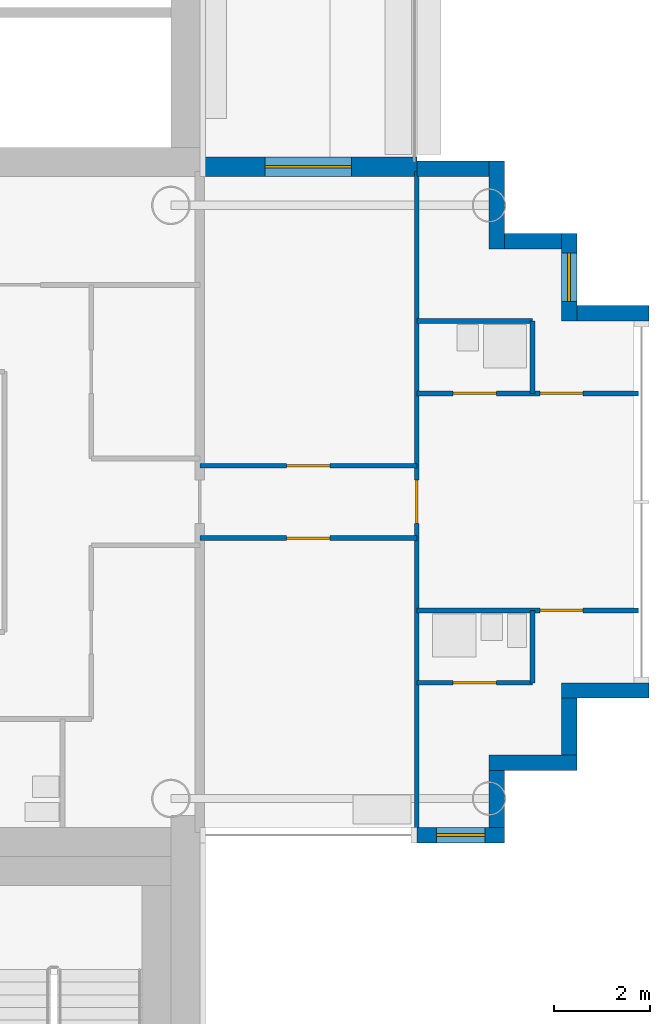
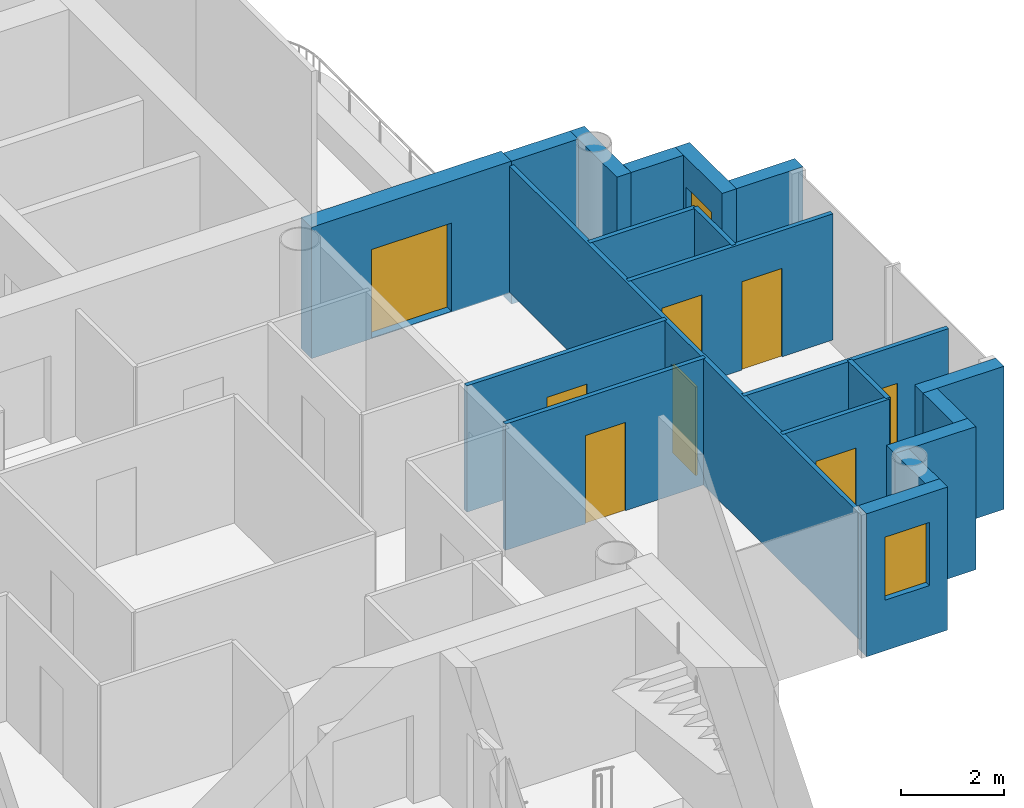
# One storey, part 11 of 18: 20 walls, 8 doors, 2 windows, 10 openings.
"""IFC4 building model written with IfcOpenShell, lengths in metres."""

from ifc_helpers import new_model, si_unit, direction, frame, frame_2d, origin, place, context, subcontext, project, spatial, rectangle, extrude, material, layer, layer_set, type_object, element, fill, save


model = new_model("IFC4")

# Units and contexts
model_context = context("Model", 3, precision=1e-05, world=origin(), true_north=direction((0.0, 1.0)))
body_context = subcontext(model_context, "Body", "Model", "MODEL_VIEW")
ifc_project = project(units=[si_unit("LENGTHUNIT", "METRE"), si_unit("AREAUNIT", "SQUARE_METRE"), si_unit("VOLUMEUNIT", "CUBIC_METRE"), si_unit("PLANEANGLEUNIT", "RADIAN"), si_unit("MASSUNIT", "GRAM", prefix="KILO")], contexts=[model_context])

# Site, building, storey
site_placement = place(None, origin())
site = spatial("IfcSite", under=ifc_project, at=site_placement, CompositionType="ELEMENT")
building_placement = place(site_placement, origin())
building = spatial("IfcBuilding", under=site, at=building_placement, Name="Ipe Terrace Towers", CompositionType="ELEMENT")
storey_placement = place(building_placement, frame((0.0, 0.0, 192.60009765625)))
storey = spatial("IfcBuildingStorey", under=building, at=storey_placement, Name="L53", CompositionType="ELEMENT", Elevation=192.60009765625)

# Wall, opening, door
ifc_material_1 = material(Name="Concrete C40/50 with buff precast cladding", Category="concrete")
ifc_layer_1 = layer(ifc_material_1, 0.39990234375)
ifc_layer_set_1 = layer_set([ifc_layer_1], Name="BALCONY BAY WALL 400")
wall_type_1 = type_object("IfcWallType", Name="BALCONY BAY WALL 400", PredefinedType="STANDARD", material=ifc_layer_set_1)
wall_1_placement = place(storey_placement, frame((47.25, 6.949951171875, -0.02001953125), z_axis=(0.0, 0.0, 1.0), x_axis=(-1.0, 0.0, 0.0)))
wall_1 = element("IfcWall", 1, at=wall_1_placement, inside=storey, type_object=wall_type_1, Name="T2-W-L53-14a wall", PredefinedType="STANDARD", context=body_context, shape_type="SweptSolid", body=[
    extrude(rectangle(XDim=4.5, YDim=0.39990234375, at=frame_2d((2.25, 0.0))), origin(), (0.0, 0.0, 1.0), 3.119873046875),
])
opening_1_placement = place(wall_1_placement, frame((1.35009765625, 0.0, 0.02001953125)))
opening_1 = element("IfcOpeningElement", 2, at=opening_1_placement, cuts=wall_1, Name="Opening T2-D-L53-14", PredefinedType="OPENING", context=body_context, shape_type="SweptSolid", body=[
    extrude(rectangle(XDim=1.800048828125, YDim=2.10009765625, at=frame_2d((0.89990234375, 1.050048828125))), frame((0.0, 0.2099609375, 0.0), z_axis=(0.0, -1.0, 0.0), x_axis=(1.0, 0.0, 0.0)), (0.0, 0.0, 1.0), 0.419921875),
])
ifc_material_2 = material(Name="Aluminium alloy 6063-T6 framed glazed door", Category="aluminium")
door_type_1 = type_object("IfcDoorType", Name="BALCONY DOOR 1800 x 2100 RIGHT", OperationType="SINGLE_SWING_RIGHT", PredefinedType="DOOR", material=ifc_material_2)
door_1_placement = place(opening_1_placement, origin())
door_1 = element("IfcDoor", 3, at=door_1_placement, inside=storey, type_object=door_type_1, Name="DB2 door", OperationType="SINGLE_SWING_RIGHT", OverallHeight=2.10009765625, OverallWidth=1.800048828125, PredefinedType="DOOR", context=body_context, shape_type="SweptSolid", body=[
    extrude(rectangle(XDim=1.800048828125, YDim=2.10009765625, at=frame_2d((0.89990234375, 1.050048828125))), frame((0.0, 0.02490234375, 0.0), z_axis=(0.0, -1.0, 0.0), x_axis=(1.0, 0.0, 0.0)), (0.0, 0.0, 1.0), 0.050048828125),
])
fill(opening_1, door_1)

# Wall, opening, window
ifc_material_3 = material(Name="Concrete C40/50 with buff precast cladding", Category="concrete")
ifc_layer_2 = layer(ifc_material_3, 0.320068359375)
ifc_layer_set_2 = layer_set([ifc_layer_2], Name="BUFF CLADDING WALL 320")
wall_type_2 = type_object("IfcWallType", Name="BUFF CLADDING WALL 320", PredefinedType="STANDARD", material=ifc_layer_set_2)
wall_2_placement = place(storey_placement, frame((47.25, -6.909912109375, -0.300048828125), z_axis=(0.0, 0.0, 1.0), x_axis=(1.0, 0.0, 0.0)))
wall_2 = element("IfcWall", 4, at=wall_2_placement, inside=storey, type_object=wall_type_2, Name="T2-W-L53-03a wall", PredefinedType="STANDARD", context=body_context, shape_type="SweptSolid", body=[
    extrude(rectangle(XDim=1.820068359375, YDim=0.320068359375, at=frame_2d((0.91015625, 0.0))), origin(), (0.0, 0.0, 1.0), 3.39990234375),
])
opening_2_placement = place(wall_2_placement, frame((0.409912109375, 0.0, 1.199951171875)))
opening_2 = element("IfcOpeningElement", 5, at=opening_2_placement, cuts=wall_2, Name="Opening T2-W-05-L53-02", PredefinedType="OPENING", context=body_context, shape_type="SweptSolid", body=[
    extrude(rectangle(XDim=1.0, YDim=1.5, at=frame_2d((0.5, 0.75))), frame((0.0, 0.169921875, 0.0), z_axis=(0.0, -1.0, 0.0), x_axis=(1.0, 0.0, 0.0)), (0.0, 0.0, 1.0), 0.340087890625),
])
ifc_material_4 = material(Name="Glass, clear laminated", Category="glass")
window_type = type_object("IfcWindowType", Name="DWELLING WINDOW 1000 x 1500", PartitioningType="SINGLE_PANEL", PredefinedType="WINDOW", material=ifc_material_4)
window_1_placement = place(opening_2_placement, origin())
window_1 = element("IfcWindow", 6, at=window_1_placement, inside=storey, type_object=window_type, Name="W-05 window", OverallHeight=1.5, OverallWidth=1.0, PartitioningType="SINGLE_PANEL", PredefinedType="WINDOW", context=body_context, shape_type="SweptSolid", body=[
    extrude(rectangle(XDim=1.0, YDim=1.5, at=frame_2d((0.5, 0.75))), frame((0.0, 0.030029296875, 0.0), z_axis=(0.0, -1.0, 0.0), x_axis=(1.0, 0.0, 0.0)), (0.0, 0.0, 1.0), 0.06005859375),
])
fill(opening_2, window_1)

# Walls
wall_3_placement = place(storey_placement, frame((48.909912109375, -6.75, -0.300048828125), z_axis=(0.0, 0.0, 1.0), x_axis=(0.0, 1.0, 0.0)))
element("IfcWall", 7, at=wall_3_placement, inside=storey, type_object=wall_type_2, Name="T2-W-L53-04a wall", PredefinedType="STANDARD", context=body_context, shape_type="SweptSolid", body=[
    extrude(rectangle(XDim=1.179931640625, YDim=0.320068359375, at=frame_2d((0.58984375, 0.0))), origin(), (0.0, 0.0, 1.0), 3.39990234375),
])
wall_4_placement = place(storey_placement, frame((48.75, -5.409912109375, -0.300048828125), z_axis=(0.0, 0.0, 1.0), x_axis=(1.0, 0.0, 0.0)))
element("IfcWall", 8, at=wall_4_placement, inside=storey, type_object=wall_type_2, Name="T2-W-L53-05a wall", PredefinedType="STANDARD", context=body_context, shape_type="SweptSolid", body=[
    extrude(rectangle(XDim=1.820068359375, YDim=0.320068359375, at=frame_2d((0.91015625, 0.0))), origin(), (0.0, 0.0, 1.0), 3.39990234375),
])
wall_5_placement = place(storey_placement, frame((50.409912109375, -5.25, -0.300048828125), z_axis=(0.0, 0.0, 1.0), x_axis=(0.0, 1.0, 0.0)))
element("IfcWall", 9, at=wall_5_placement, inside=storey, type_object=wall_type_2, Name="T2-W-L53-06a wall", PredefinedType="STANDARD", context=body_context, shape_type="SweptSolid", body=[
    extrude(rectangle(XDim=1.179931640625, YDim=0.320068359375, at=frame_2d((0.58984375, 0.0))), origin(), (0.0, 0.0, 1.0), 3.39990234375),
])
wall_6_placement = place(storey_placement, frame((50.25, -3.909912109375, -0.300048828125), z_axis=(0.0, 0.0, 1.0), x_axis=(1.0, 0.0, 0.0)))
element("IfcWall", 10, at=wall_6_placement, inside=storey, type_object=wall_type_2, Name="T2-W-L53-07a wall", PredefinedType="STANDARD", context=body_context, shape_type="SweptSolid", body=[
    extrude(rectangle(XDim=1.820068359375, YDim=0.320068359375, at=frame_2d((0.91015625, 0.0))), origin(), (0.0, 0.0, 1.0), 3.39990234375),
])
wall_7_placement = place(storey_placement, frame((52.070068359375, 3.909912109375, -0.300048828125), z_axis=(0.0, 0.0, 1.0), x_axis=(-1.0, 0.0, 0.0)))
element("IfcWall", 11, at=wall_7_placement, inside=storey, type_object=wall_type_2, Name="T2-W-L53-09a wall", PredefinedType="STANDARD", context=body_context, shape_type="SweptSolid", body=[
    extrude(rectangle(XDim=1.5, YDim=0.320068359375, at=frame_2d((0.75, 0.0))), origin(), (0.0, 0.0, 1.0), 3.39990234375),
])

# Wall, opening, window
wall_8_placement = place(storey_placement, frame((50.409912109375, 3.75, -0.300048828125), z_axis=(0.0, 0.0, 1.0), x_axis=(0.0, 1.0, 0.0)))
wall_8 = element("IfcWall", 12, at=wall_8_placement, inside=storey, type_object=wall_type_2, Name="T2-W-L53-10a wall", PredefinedType="STANDARD", context=body_context, shape_type="SweptSolid", body=[
    extrude(rectangle(XDim=1.820068359375, YDim=0.320068359375, at=frame_2d((0.91015625, 0.0))), origin(), (0.0, 0.0, 1.0), 3.39990234375),
])
opening_3_placement = place(wall_8_placement, frame((0.409912109375, 0.0, 1.199951171875)))
opening_3 = element("IfcOpeningElement", 13, at=opening_3_placement, cuts=wall_8, Name="Opening T2-W-05-L53-01", PredefinedType="OPENING", context=body_context, shape_type="SweptSolid", body=[
    extrude(rectangle(XDim=1.0, YDim=1.5, at=frame_2d((0.5, 0.75))), frame((0.0, 0.169921875, 0.0), z_axis=(0.0, -1.0, 0.0), x_axis=(1.0, 0.0, 0.0)), (0.0, 0.0, 1.0), 0.340087890625),
])
window_2_placement = place(opening_3_placement, origin())
window_2 = element("IfcWindow", 14, at=window_2_placement, inside=storey, type_object=window_type, Name="W-05 window", OverallHeight=1.5, OverallWidth=1.0, PartitioningType="SINGLE_PANEL", PredefinedType="WINDOW", context=body_context, shape_type="SweptSolid", body=[
    extrude(rectangle(XDim=1.0, YDim=1.5, at=frame_2d((0.5, 0.75))), frame((0.0, 0.030029296875, 0.0), z_axis=(0.0, -1.0, 0.0), x_axis=(1.0, 0.0, 0.0)), (0.0, 0.0, 1.0), 0.06005859375),
])
fill(opening_3, window_2)

# Walls
wall_9_placement = place(storey_placement, frame((50.25, 5.409912109375, -0.300048828125), z_axis=(0.0, 0.0, 1.0), x_axis=(-1.0, 0.0, 0.0)))
element("IfcWall", 15, at=wall_9_placement, inside=storey, type_object=wall_type_2, Name="T2-W-L53-11a wall", PredefinedType="STANDARD", context=body_context, shape_type="SweptSolid", body=[
    extrude(rectangle(XDim=1.179931640625, YDim=0.320068359375, at=frame_2d((0.58984375, 0.0))), origin(), (0.0, 0.0, 1.0), 3.39990234375),
])
wall_10_placement = place(storey_placement, frame((48.909912109375, 5.25, -0.300048828125), z_axis=(0.0, 0.0, 1.0), x_axis=(0.0, 1.0, 0.0)))
element("IfcWall", 16, at=wall_10_placement, inside=storey, type_object=wall_type_2, Name="T2-W-L53-12a wall", PredefinedType="STANDARD", context=body_context, shape_type="SweptSolid", body=[
    extrude(rectangle(XDim=1.820068359375, YDim=0.320068359375, at=frame_2d((0.91015625, 0.0))), origin(), (0.0, 0.0, 1.0), 3.39990234375),
])
wall_11_placement = place(storey_placement, frame((48.75, 6.909912109375, -0.300048828125), z_axis=(0.0, 0.0, 1.0), x_axis=(-1.0, 0.0, 0.0)))
element("IfcWall", 17, at=wall_11_placement, inside=storey, type_object=wall_type_2, Name="T2-W-L53-13a wall", PredefinedType="STANDARD", context=body_context, shape_type="SweptSolid", body=[
    extrude(rectangle(XDim=1.5, YDim=0.320068359375, at=frame_2d((0.75, 0.0))), origin(), (0.0, 0.0, 1.0), 3.39990234375),
])

# Wall, opening, door
ifc_material_5 = material(Name="Gypsum board partition", Category="plasterboard")
ifc_layer_3 = layer(ifc_material_5, 0.10009765625)
ifc_layer_set_3 = layer_set([ifc_layer_3], Name="Gypsum board partition 100 mm")
wall_type_3 = type_object("IfcWallType", Name="Gypsum board partition 100 mm", PredefinedType="PARTITIONING", material=ifc_layer_set_3)
wall_12_placement = place(storey_placement, frame((49.64990234375, -3.75, 0.0), z_axis=(0.0, 0.0, 1.0), x_axis=(-1.0, 0.0, 0.0)))
wall_12 = element("IfcWall", 18, at=wall_12_placement, inside=storey, type_object=wall_type_3, Name="Gypsum board partition T2 L53 W03", PredefinedType="PARTITIONING", context=body_context, shape_type="SweptSolid", body=[
    extrude(rectangle(XDim=2.39990234375, YDim=0.10009765625, at=frame_2d((1.199951171875, 0.0))), origin(), (0.0, 0.0, 1.0), 3.0),
])
opening_4_placement = place(wall_12_placement, frame((0.75, 0.0, 0.0)))
opening_4 = element("IfcOpeningElement", 19, at=opening_4_placement, cuts=wall_12, Name="Opening T2-Z4C-21", PredefinedType="OPENING", context=body_context, shape_type="SweptSolid", body=[
    extrude(rectangle(XDim=0.89990234375, YDim=2.10009765625, at=frame_2d((0.449951171875, 1.050048828125))), frame((0.0, 0.06005859375, 0.0), z_axis=(0.0, -1.0, 0.0), x_axis=(1.0, 0.0, 0.0)), (0.0, 0.0, 1.0), 0.1201171875),
])
ifc_material_6 = material(Name="Timber door leaf", Category="wood")
door_type_2 = type_object("IfcDoorType", Name="Bathroom door 900 x 2100", OperationType="NOTDEFINED", PredefinedType="DOOR", material=ifc_material_6)
door_2_placement = place(opening_4_placement, origin())
door_2 = element("IfcDoor", 20, at=door_2_placement, inside=storey, type_object=door_type_2, Name="Bathroom door T2-Z4C-21", OperationType="SINGLE_SWING_RIGHT", OverallHeight=2.10009765625, OverallWidth=0.89990234375, PredefinedType="DOOR", context=body_context, shape_type="SweptSolid", body=[
    extrude(rectangle(XDim=0.89990234375, YDim=2.10009765625, at=frame_2d((0.449951171875, 1.050048828125))), frame((0.0, 0.02490234375, 0.0), z_axis=(0.0, -1.0, 0.0), x_axis=(1.0, 0.0, 0.0)), (0.0, 0.0, 1.0), 0.050048828125),
])
fill(opening_4, door_2)

wall_13_placement = place(storey_placement, frame((51.85009765625, -2.25, 0.0), z_axis=(0.0, 0.0, 1.0), x_axis=(-1.0, 0.0, 0.0)))
wall_13 = element("IfcWall", 21, at=wall_13_placement, inside=storey, type_object=wall_type_3, Name="Gypsum board partition T2 L53 W05", PredefinedType="PARTITIONING", context=body_context, shape_type="SweptSolid", body=[
    extrude(rectangle(XDim=4.60009765625, YDim=0.10009765625, at=frame_2d((2.300048828125, 0.0))), origin(), (0.0, 0.0, 1.0), 3.0),
])
opening_5_placement = place(wall_13_placement, frame((1.14990234375, 0.0, 0.0)))
opening_5 = element("IfcOpeningElement", 22, at=opening_5_placement, cuts=wall_13, Name="Opening T2-Z4C-22", PredefinedType="OPENING", context=body_context, shape_type="SweptSolid", body=[
    extrude(rectangle(XDim=0.89990234375, YDim=2.10009765625, at=frame_2d((0.449951171875, 1.050048828125))), frame((0.0, 0.06005859375, 0.0), z_axis=(0.0, -1.0, 0.0), x_axis=(1.0, 0.0, 0.0)), (0.0, 0.0, 1.0), 0.1201171875),
])
ifc_material_7 = material(Name="Timber door leaf", Category="wood")
door_type_3 = type_object("IfcDoorType", Name="Bedroom door 900 x 2100", OperationType="NOTDEFINED", PredefinedType="DOOR", material=ifc_material_7)
door_3_placement = place(opening_5_placement, origin())
door_3 = element("IfcDoor", 23, at=door_3_placement, inside=storey, type_object=door_type_3, Name="Bedroom door T2-Z4C-22", OperationType="SINGLE_SWING_RIGHT", OverallHeight=2.10009765625, OverallWidth=0.89990234375, PredefinedType="DOOR", context=body_context, shape_type="SweptSolid", body=[
    extrude(rectangle(XDim=0.89990234375, YDim=2.10009765625, at=frame_2d((0.449951171875, 1.050048828125))), frame((0.0, 0.02490234375, 0.0), z_axis=(0.0, -1.0, 0.0), x_axis=(1.0, 0.0, 0.0)), (0.0, 0.0, 1.0), 0.050048828125),
])
fill(opening_5, door_3)

wall_14_placement = place(storey_placement, frame((47.25, -0.75, 0.0), z_axis=(0.0, 0.0, 1.0), x_axis=(-1.0, 0.0, 0.0)))
wall_14 = element("IfcWall", 24, at=wall_14_placement, inside=storey, type_object=wall_type_3, Name="Gypsum board partition T2 L53 W09", PredefinedType="PARTITIONING", context=body_context, shape_type="SweptSolid", body=[
    extrude(rectangle(XDim=4.5, YDim=0.10009765625, at=frame_2d((2.25, 0.0))), origin(), (0.0, 0.0, 1.0), 3.0),
])
opening_6_placement = place(wall_14_placement, frame((1.800048828125, 0.0, 0.0)))
opening_6 = element("IfcOpeningElement", 25, at=opening_6_placement, cuts=wall_14, Name="Opening T2-Z4C-16", PredefinedType="OPENING", context=body_context, shape_type="SweptSolid", body=[
    extrude(rectangle(XDim=0.89990234375, YDim=2.10009765625, at=frame_2d((0.449951171875, 1.050048828125))), frame((0.0, 0.06005859375, 0.0), z_axis=(0.0, -1.0, 0.0), x_axis=(1.0, 0.0, 0.0)), (0.0, 0.0, 1.0), 0.1201171875),
])
ifc_material_8 = material(Name="Timber door leaf", Category="wood")
door_type_4 = type_object("IfcDoorType", Name="Lounge door 900 x 2100", OperationType="NOTDEFINED", PredefinedType="DOOR", material=ifc_material_8)
door_4_placement = place(opening_6_placement, origin())
door_4 = element("IfcDoor", 26, at=door_4_placement, inside=storey, type_object=door_type_4, Name="Lounge door T2-Z4C-16", OperationType="SINGLE_SWING_LEFT", OverallHeight=2.10009765625, OverallWidth=0.89990234375, PredefinedType="DOOR", context=body_context, shape_type="SweptSolid", body=[
    extrude(rectangle(XDim=0.89990234375, YDim=2.10009765625, at=frame_2d((0.449951171875, 1.050048828125))), frame((0.0, 0.02490234375, 0.0), z_axis=(0.0, -1.0, 0.0), x_axis=(1.0, 0.0, 0.0)), (0.0, 0.0, 1.0), 0.050048828125),
])
fill(opening_6, door_4)

wall_15_placement = place(storey_placement, frame((47.25, 0.75, 0.0), z_axis=(0.0, 0.0, 1.0), x_axis=(-1.0, 0.0, 0.0)))
wall_15 = element("IfcWall", 27, at=wall_15_placement, inside=storey, type_object=wall_type_3, Name="Gypsum board partition T2 L53 W11", PredefinedType="PARTITIONING", context=body_context, shape_type="SweptSolid", body=[
    extrude(rectangle(XDim=4.5, YDim=0.10009765625, at=frame_2d((2.25, 0.0))), origin(), (0.0, 0.0, 1.0), 3.0),
])
opening_7_placement = place(wall_15_placement, frame((1.800048828125, 0.0, 0.0)))
opening_7 = element("IfcOpeningElement", 28, at=opening_7_placement, cuts=wall_15, Name="Opening T2-Z4C-15", PredefinedType="OPENING", context=body_context, shape_type="SweptSolid", body=[
    extrude(rectangle(XDim=0.89990234375, YDim=2.10009765625, at=frame_2d((0.449951171875, 1.050048828125))), frame((0.0, 0.06005859375, 0.0), z_axis=(0.0, -1.0, 0.0), x_axis=(1.0, 0.0, 0.0)), (0.0, 0.0, 1.0), 0.1201171875),
])
door_5_placement = place(opening_7_placement, origin())
door_5 = element("IfcDoor", 29, at=door_5_placement, inside=storey, type_object=door_type_4, Name="Lounge door T2-Z4C-15", OperationType="SINGLE_SWING_RIGHT", OverallHeight=2.10009765625, OverallWidth=0.89990234375, PredefinedType="DOOR", context=body_context, shape_type="SweptSolid", body=[
    extrude(rectangle(XDim=0.89990234375, YDim=2.10009765625, at=frame_2d((0.449951171875, 1.050048828125))), frame((0.0, 0.02490234375, 0.0), z_axis=(0.0, -1.0, 0.0), x_axis=(1.0, 0.0, 0.0)), (0.0, 0.0, 1.0), 0.050048828125),
])
fill(opening_7, door_5)

# Wall, openings, doors
wall_16_placement = place(storey_placement, frame((51.85009765625, 2.25, 0.0), z_axis=(0.0, 0.0, 1.0), x_axis=(-1.0, 0.0, 0.0)))
wall_16 = element("IfcWall", 30, at=wall_16_placement, inside=storey, type_object=wall_type_3, Name="Gypsum board partition T2 L53 W15", PredefinedType="PARTITIONING", context=body_context, shape_type="SweptSolid", body=[
    extrude(rectangle(XDim=4.60009765625, YDim=0.10009765625, at=frame_2d((2.300048828125, 0.0))), origin(), (0.0, 0.0, 1.0), 3.0),
])
opening_8_placement = place(wall_16_placement, frame((2.949951171875, 0.0, 0.0)))
opening_8 = element("IfcOpeningElement", 31, at=opening_8_placement, cuts=wall_16, Name="Opening T2-Z4C-19", PredefinedType="OPENING", context=body_context, shape_type="SweptSolid", body=[
    extrude(rectangle(XDim=0.89990234375, YDim=2.10009765625, at=frame_2d((0.449951171875, 1.050048828125))), frame((0.0, 0.06005859375, 0.0), z_axis=(0.0, -1.0, 0.0), x_axis=(1.0, 0.0, 0.0)), (0.0, 0.0, 1.0), 0.1201171875),
])
opening_9_placement = place(wall_16_placement, frame((1.14990234375, 0.0, 0.0)))
opening_9 = element("IfcOpeningElement", 32, at=opening_9_placement, cuts=wall_16, Name="Opening T2-Z4C-20", PredefinedType="OPENING", context=body_context, shape_type="SweptSolid", body=[
    extrude(rectangle(XDim=0.89990234375, YDim=2.10009765625, at=frame_2d((0.449951171875, 1.050048828125))), frame((0.0, 0.06005859375, 0.0), z_axis=(0.0, -1.0, 0.0), x_axis=(1.0, 0.0, 0.0)), (0.0, 0.0, 1.0), 0.1201171875),
])
door_6_placement = place(opening_8_placement, origin())
door_6 = element("IfcDoor", 33, at=door_6_placement, inside=storey, type_object=door_type_2, Name="Bathroom door T2-Z4C-19", OperationType="SINGLE_SWING_RIGHT", OverallHeight=2.10009765625, OverallWidth=0.89990234375, PredefinedType="DOOR", context=body_context, shape_type="SweptSolid", body=[
    extrude(rectangle(XDim=0.89990234375, YDim=2.10009765625, at=frame_2d((0.449951171875, 1.050048828125))), frame((0.0, 0.02490234375, 0.0), z_axis=(0.0, -1.0, 0.0), x_axis=(1.0, 0.0, 0.0)), (0.0, 0.0, 1.0), 0.050048828125),
])
fill(opening_8, door_6)
door_7_placement = place(opening_9_placement, origin())
door_7 = element("IfcDoor", 34, at=door_7_placement, inside=storey, type_object=door_type_3, Name="Bedroom door T2-Z4C-20", OperationType="SINGLE_SWING_LEFT", OverallHeight=2.10009765625, OverallWidth=0.89990234375, PredefinedType="DOOR", context=body_context, shape_type="SweptSolid", body=[
    extrude(rectangle(XDim=0.89990234375, YDim=2.10009765625, at=frame_2d((0.449951171875, 1.050048828125))), frame((0.0, 0.02490234375, 0.0), z_axis=(0.0, -1.0, 0.0), x_axis=(1.0, 0.0, 0.0)), (0.0, 0.0, 1.0), 0.050048828125),
])
fill(opening_9, door_7)

# Walls
wall_17_placement = place(storey_placement, frame((49.64990234375, 3.75, 0.0), z_axis=(0.0, 0.0, 1.0), x_axis=(-1.0, 0.0, 0.0)))
element("IfcWall", 35, at=wall_17_placement, inside=storey, type_object=wall_type_3, Name="Gypsum board partition T2 L53 W18", PredefinedType="PARTITIONING", context=body_context, shape_type="SweptSolid", body=[
    extrude(rectangle(XDim=2.39990234375, YDim=0.10009765625, at=frame_2d((1.199951171875, 0.0))), origin(), (0.0, 0.0, 1.0), 3.0),
])
for number, where, z_axis, x_axis, name in (
    (36, (49.64990234375, -3.75, 0.0), (0.0, 0.0, 1.0), (0.0, 1.0, 0.0), "Gypsum board partition T2 L53 W21"),
    (37, (49.64990234375, 2.25, 0.0), (0.0, 0.0, 1.0), (0.0, 1.0, 0.0), "Gypsum board partition T2 L53 W22"),
):
    element("IfcWall", number, at=place(storey_placement, frame(where, z_axis=z_axis, x_axis=x_axis)), inside=storey, type_object=wall_type_3, Name=name, PredefinedType="PARTITIONING", context=body_context, shape_type="SweptSolid", body=[
        extrude(rectangle(XDim=1.5, YDim=0.10009765625, at=frame_2d((0.75, 0.0))), origin(), (0.0, 0.0, 1.0), 3.0),
    ])

# Wall, opening, door
wall_18_placement = place(storey_placement, frame((47.25, -6.85009765625, 0.0), z_axis=(0.0, 0.0, 1.0), x_axis=(0.0, 1.0, 0.0)))
wall_18 = element("IfcWall", 38, at=wall_18_placement, inside=storey, type_object=wall_type_3, Name="Gypsum board partition T2 L53 W23", PredefinedType="PARTITIONING", context=body_context, shape_type="SweptSolid", body=[
    extrude(rectangle(XDim=13.7001953125, YDim=0.10009765625, at=frame_2d((6.85009765625, 0.0))), origin(), (0.0, 0.0, 1.0), 3.0),
])
opening_10_placement = place(wall_18_placement, frame((6.39990234375, 0.0, 0.0)))
opening_10 = element("IfcOpeningElement", 39, at=opening_10_placement, cuts=wall_18, Name="Opening T2-Z4C-18", PredefinedType="OPENING", context=body_context, shape_type="SweptSolid", body=[
    extrude(rectangle(XDim=0.89990234375, YDim=2.10009765625, at=frame_2d((0.449951171875, 1.050048828125))), frame((0.0, 0.06005859375, 0.0), z_axis=(0.0, -1.0, 0.0), x_axis=(1.0, 0.0, 0.0)), (0.0, 0.0, 1.0), 0.1201171875),
])
door_8_placement = place(opening_10_placement, origin())
door_8 = element("IfcDoor", 40, at=door_8_placement, inside=storey, type_object=door_type_4, Name="Lounge door T2-Z4C-18", OperationType="SINGLE_SWING_RIGHT", OverallHeight=2.10009765625, OverallWidth=0.89990234375, PredefinedType="DOOR", context=body_context, shape_type="SweptSolid", body=[
    extrude(rectangle(XDim=0.89990234375, YDim=2.10009765625, at=frame_2d((0.449951171875, 1.050048828125))), frame((0.0, 0.02490234375, 0.0), z_axis=(0.0, -1.0, 0.0), x_axis=(1.0, 0.0, 0.0)), (0.0, 0.0, 1.0), 0.050048828125),
])
fill(opening_10, door_8)

save(model, "model.ifc")
